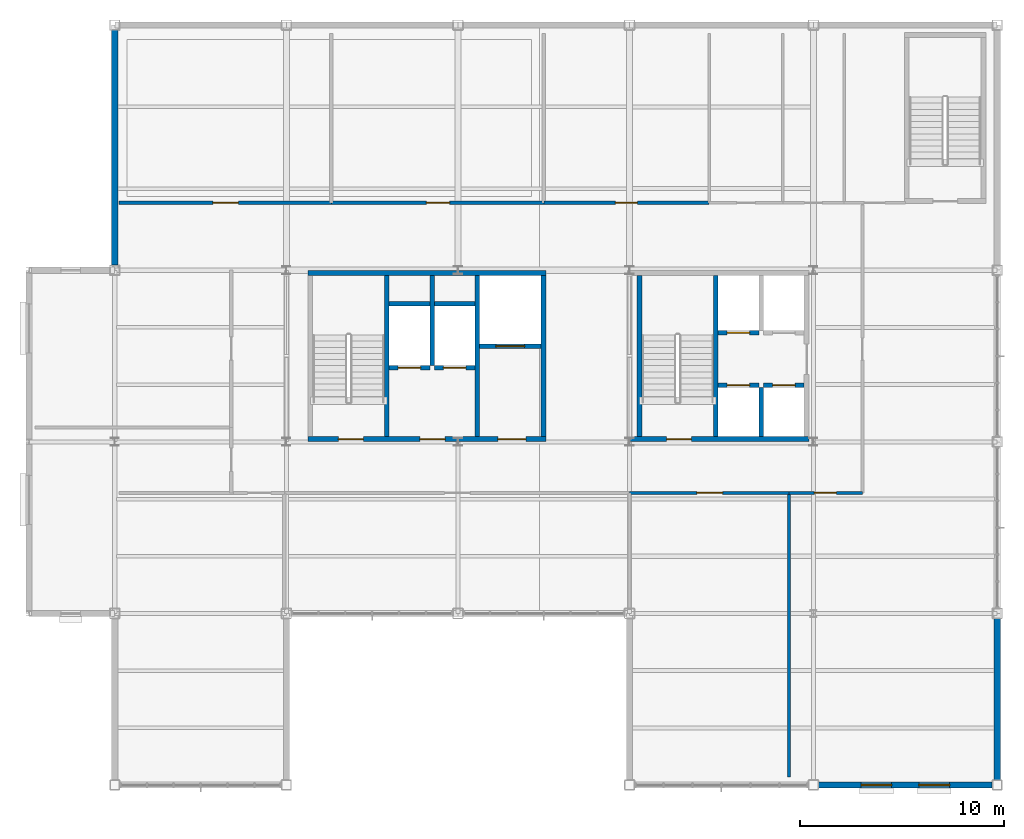
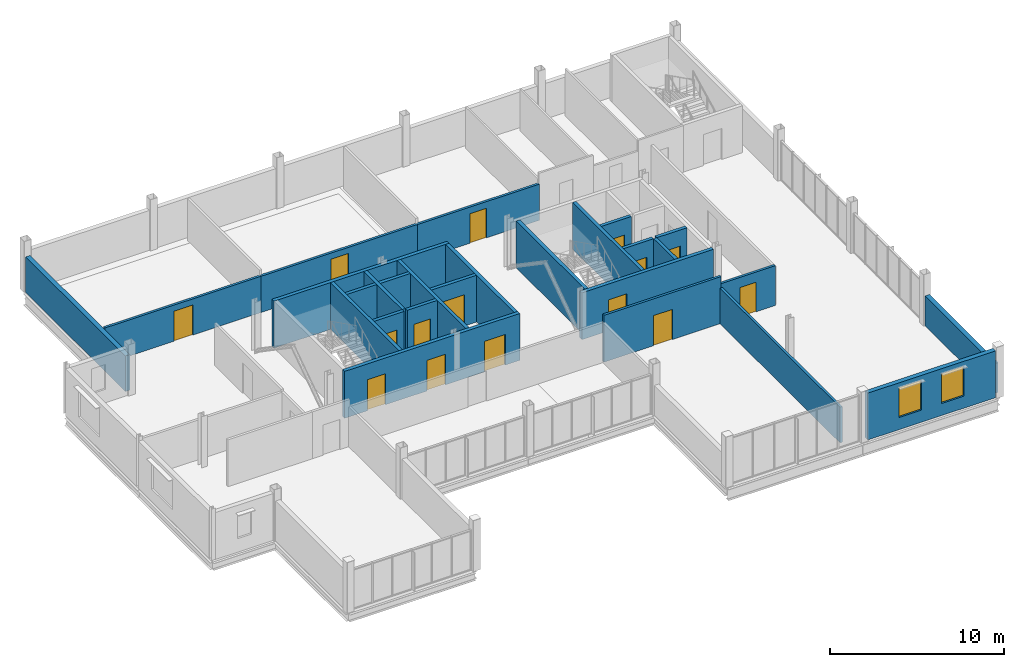
# One storey, part 15 of 19: 27 walls, 15 doors, 2 windows, 17 openings.
"""IFC4 building model written with IfcOpenShell, lengths in metres."""

from ifc_helpers import new_model, si_unit, direction, frame, frame_2d, origin, place, context, subcontext, project, spatial, rectangle, extrude, material, layer, layer_set, type_object, element, fill, save


model = new_model("IFC4")

# Units and contexts
model_context = context("Model", 3, precision=1e-05, world=origin(), true_north=direction((0.0, 1.0)))
body_context = subcontext(model_context, "Body", "Model", "MODEL_VIEW")
ifc_project = project(units=[si_unit("LENGTHUNIT", "METRE"), si_unit("AREAUNIT", "SQUARE_METRE"), si_unit("VOLUMEUNIT", "CUBIC_METRE"), si_unit("PLANEANGLEUNIT", "RADIAN"), si_unit("MASSUNIT", "GRAM", prefix="KILO")], contexts=[model_context])

# Site, building, storey
site_placement = place(None, origin())
site = spatial("IfcSite", under=ifc_project, at=site_placement, CompositionType="ELEMENT")
building_placement = place(site_placement, origin())
building = spatial("IfcBuilding", under=site, at=building_placement, Name="Yukiwa Park Conservatory and Herbarium", CompositionType="ELEMENT")
storey_placement = place(building_placement, frame((0.0, 0.0, 31.800048828125)))
storey = spatial("IfcBuildingStorey", under=building, at=storey_placement, Name="L08", CompositionType="ELEMENT", Elevation=31.800048828125)

# Walls
ifc_material_1 = material(Name="Concrete C40", Category="concrete")
ifc_layer_1 = layer(ifc_material_1, 0.219970703125)
ifc_layer_set_1 = layer_set([ifc_layer_1], Name="Concrete C40")
wall_type_1 = type_object("IfcWallType", Name="WL-CORE-RC220", PredefinedType="SHEAR", material=ifc_layer_set_1)
wall_1_placement = place(storey_placement, frame((138.110107421875, 95.050048828125, 0.0), z_axis=(0.0, 0.0, 1.0), x_axis=(0.0, 1.0, 0.0)))
element("IfcWall", 1, at=wall_1_placement, inside=storey, type_object=wall_type_1, Name="L08 core shear wall 523", PredefinedType="SHEAR", context=body_context, shape_type="SweptSolid", body=[
    extrude(rectangle(XDim=7.89990234375, YDim=0.219970703125, at=frame_2d((3.949951171875, 0.0))), origin(), (0.0, 0.0, 1.0), 3.294921875),
])
wall_2_placement = place(storey_placement, frame((140.330078125, 98.5400390625, 0.0), z_axis=(0.0, 0.0, 1.0), x_axis=(0.0, 1.0, 0.0)))
element("IfcWall", 2, at=wall_2_placement, inside=storey, type_object=wall_type_1, Name="L08 core shear wall 524", PredefinedType="SHEAR", context=body_context, shape_type="SweptSolid", body=[
    extrude(rectangle(XDim=4.409912109375, YDim=0.219970703125, at=frame_2d((2.205078125, 0.0))), origin(), (0.0, 0.0, 1.0), 3.294921875),
])
wall_3_placement = place(storey_placement, frame((142.550048828125, 95.050048828125, 0.0), z_axis=(0.0, 0.0, 1.0), x_axis=(0.0, 1.0, 0.0)))
element("IfcWall", 3, at=wall_3_placement, inside=storey, type_object=wall_type_1, Name="L08 core shear wall 525", PredefinedType="SHEAR", context=body_context, shape_type="SweptSolid", body=[
    extrude(rectangle(XDim=7.89990234375, YDim=0.219970703125, at=frame_2d((3.949951171875, 0.0))), origin(), (0.0, 0.0, 1.0), 3.294921875),
])

# Wall, opening, door
wall_4_placement = place(storey_placement, frame((138.219970703125, 98.429931640625, 0.0), z_axis=(0.0, 0.0, 1.0), x_axis=(1.0, 0.0, 0.0)))
wall_4 = element("IfcWall", 4, at=wall_4_placement, inside=storey, type_object=wall_type_1, Name="L08 core shear wall 527", PredefinedType="SHEAR", context=body_context, shape_type="SweptSolid", body=[
    extrude(rectangle(XDim=2.0, YDim=0.219970703125, at=frame_2d((1.0, 0.0))), origin(), (0.0, 0.0, 1.0), 3.294921875),
])
opening_1_placement = place(wall_4_placement, frame((0.449951171875, 0.0, 0.0)))
opening_1 = element("IfcOpeningElement", 5, at=opening_1_placement, cuts=wall_4, Name="Opening LD-01", PredefinedType="OPENING", context=body_context, shape_type="SweptSolid", body=[
    extrude(rectangle(XDim=1.10009765625, YDim=2.14990234375, at=frame_2d((0.550048828125, 1.074951171875))), frame((0.0, 0.1201171875, 0.0), z_axis=(0.0, -1.0, 0.0), x_axis=(1.0, 0.0, 0.0)), (0.0, 0.0, 1.0), 0.239990234375),
])
ifc_material_2 = material(Name="Steel Q235B", Category="steel")
door_type_1 = type_object("IfcDoorType", Name="DR-LIFT-LD1100", OperationType="SLIDING_TO_LEFT", PredefinedType="DOOR", material=ifc_material_2)
door_1_placement = place(opening_1_placement, origin())
door_1 = element("IfcDoor", 6, at=door_1_placement, inside=storey, type_object=door_type_1, Name="L08 Firefighting Lift FL1 sliding landing door", OperationType="SLIDING_TO_LEFT", OverallHeight=2.14990234375, OverallWidth=1.10009765625, PredefinedType="DOOR", context=body_context, shape_type="SweptSolid", body=[
    extrude(rectangle(XDim=1.10009765625, YDim=2.14990234375, at=frame_2d((0.550048828125, 1.074951171875))), frame((0.0, 0.02490234375, 0.0), z_axis=(0.0, -1.0, 0.0), x_axis=(1.0, 0.0, 0.0)), (0.0, 0.0, 1.0), 0.050048828125),
])
fill(opening_1, door_1)

wall_5_placement = place(storey_placement, frame((140.43994140625, 98.429931640625, 0.0), z_axis=(0.0, 0.0, 1.0), x_axis=(1.0, 0.0, 0.0)))
wall_5 = element("IfcWall", 7, at=wall_5_placement, inside=storey, type_object=wall_type_1, Name="L08 core shear wall 528", PredefinedType="SHEAR", context=body_context, shape_type="SweptSolid", body=[
    extrude(rectangle(XDim=2.0, YDim=0.219970703125, at=frame_2d((1.0, 0.0))), origin(), (0.0, 0.0, 1.0), 3.294921875),
])
opening_2_placement = place(wall_5_placement, frame((0.449951171875, 0.0, 0.0)))
opening_2 = element("IfcOpeningElement", 8, at=opening_2_placement, cuts=wall_5, Name="Opening LD-01", PredefinedType="OPENING", context=body_context, shape_type="SweptSolid", body=[
    extrude(rectangle(XDim=1.10009765625, YDim=2.14990234375, at=frame_2d((0.550048828125, 1.074951171875))), frame((0.0, 0.1201171875, 0.0), z_axis=(0.0, -1.0, 0.0), x_axis=(1.0, 0.0, 0.0)), (0.0, 0.0, 1.0), 0.239990234375),
])
door_2_placement = place(opening_2_placement, origin())
door_2 = element("IfcDoor", 9, at=door_2_placement, inside=storey, type_object=door_type_1, Name="L08 Firefighting Lift FL2 sliding landing door", OperationType="SLIDING_TO_LEFT", OverallHeight=2.14990234375, OverallWidth=1.10009765625, PredefinedType="DOOR", context=body_context, shape_type="SweptSolid", body=[
    extrude(rectangle(XDim=1.10009765625, YDim=2.14990234375, at=frame_2d((0.550048828125, 1.074951171875))), frame((0.0, 0.02490234375, 0.0), z_axis=(0.0, -1.0, 0.0), x_axis=(1.0, 0.0, 0.0)), (0.0, 0.0, 1.0), 0.050048828125),
])
fill(opening_2, door_2)

# Walls
for number, where, z_axis, x_axis, name in (
    (10, (138.219970703125, 101.550048828125, 0.0), (0.0, 0.0, 1.0), (1.0, 0.0, 0.0), "L08 core shear wall 529"),
    (11, (140.43994140625, 101.550048828125, 0.0), (0.0, 0.0, 1.0), (1.0, 0.0, 0.0), "L08 core shear wall 530"),
):
    element("IfcWall", number, at=place(storey_placement, frame(where, z_axis=z_axis, x_axis=x_axis)), inside=storey, type_object=wall_type_1, Name=name, PredefinedType="SHEAR", context=body_context, shape_type="SweptSolid", body=[
        extrude(rectangle(XDim=2.0, YDim=0.219970703125, at=frame_2d((1.0, 0.0))), origin(), (0.0, 0.0, 1.0), 3.294921875),
    ])

# Wall, opening, door
wall_6_placement = place(storey_placement, frame((142.659912109375, 99.489990234375, 0.0), z_axis=(0.0, 0.0, 1.0), x_axis=(1.0, 0.0, 0.0)))
wall_6 = element("IfcWall", 12, at=wall_6_placement, inside=storey, type_object=wall_type_1, Name="L08 core shear wall 531", PredefinedType="SHEAR", context=body_context, shape_type="SweptSolid", body=[
    extrude(rectangle(XDim=3.0, YDim=0.219970703125, at=frame_2d((1.5, 0.0))), origin(), (0.0, 0.0, 1.0), 3.294921875),
])
opening_3_placement = place(wall_6_placement, frame((0.800048828125, 0.0, 0.0)))
opening_3 = element("IfcOpeningElement", 13, at=opening_3_placement, cuts=wall_6, Name="Opening LD-02", PredefinedType="OPENING", context=body_context, shape_type="SweptSolid", body=[
    extrude(rectangle(XDim=1.39990234375, YDim=2.199951171875, at=frame_2d((0.699951171875, 1.10009765625))), frame((0.0, 0.1201171875, 0.0), z_axis=(0.0, -1.0, 0.0), x_axis=(1.0, 0.0, 0.0)), (0.0, 0.0, 1.0), 0.239990234375),
])
ifc_material_3 = material(Name="Steel Q235B", Category="steel")
door_type_2 = type_object("IfcDoorType", Name="DR-LIFT-LD1400", OperationType="SLIDING_TO_LEFT", PredefinedType="DOOR", material=ifc_material_3)
door_3_placement = place(opening_3_placement, origin())
door_3 = element("IfcDoor", 14, at=door_3_placement, inside=storey, type_object=door_type_2, Name="L08 Goods Lift GL1 sliding landing door", OperationType="SLIDING_TO_LEFT", OverallHeight=2.199951171875, OverallWidth=1.39990234375, PredefinedType="DOOR", context=body_context, shape_type="SweptSolid", body=[
    extrude(rectangle(XDim=1.39990234375, YDim=2.199951171875, at=frame_2d((0.699951171875, 1.10009765625))), frame((0.0, 0.02490234375, 0.0), z_axis=(0.0, -1.0, 0.0), x_axis=(1.0, 0.0, 0.0)), (0.0, 0.0, 1.0), 0.050048828125),
])
fill(opening_3, door_3)

# Wall
wall_7_placement = place(storey_placement, frame((154.219970703125, 95.050048828125, 0.0), z_axis=(0.0, 0.0, 1.0), x_axis=(0.0, 1.0, 0.0)))
element("IfcWall", 15, at=wall_7_placement, inside=storey, type_object=wall_type_1, Name="L08 core shear wall 535", PredefinedType="SHEAR", context=body_context, shape_type="SweptSolid", body=[
    extrude(rectangle(XDim=7.89990234375, YDim=0.219970703125, at=frame_2d((3.949951171875, 0.0))), origin(), (0.0, 0.0, 1.0), 3.294921875),
])

# Wall, opening, door
wall_8_placement = place(storey_placement, frame((154.330078125, 100.139892578125, 0.0), z_axis=(0.0, 0.0, 1.0), x_axis=(1.0, 0.0, 0.0)))
wall_8 = element("IfcWall", 16, at=wall_8_placement, inside=storey, type_object=wall_type_1, Name="L08 core shear wall 538", PredefinedType="SHEAR", context=body_context, shape_type="SweptSolid", body=[
    extrude(rectangle(XDim=2.0, YDim=0.219970703125, at=frame_2d((1.0, 0.0))), origin(), (0.0, 0.0, 1.0), 3.294921875),
])
opening_4_placement = place(wall_8_placement, frame((0.449951171875, 0.0, 0.0)))
opening_4 = element("IfcOpeningElement", 17, at=opening_4_placement, cuts=wall_8, Name="Opening LD-01", PredefinedType="OPENING", context=body_context, shape_type="SweptSolid", body=[
    extrude(rectangle(XDim=1.10009765625, YDim=2.14990234375, at=frame_2d((0.550048828125, 1.074951171875))), frame((0.0, 0.1201171875, 0.0), z_axis=(0.0, -1.0, 0.0), x_axis=(1.0, 0.0, 0.0)), (0.0, 0.0, 1.0), 0.239990234375),
])
door_4_placement = place(opening_4_placement, origin())
door_4 = element("IfcDoor", 18, at=door_4_placement, inside=storey, type_object=door_type_1, Name="L08 Passenger Lift LP1 sliding landing door", OperationType="SLIDING_TO_LEFT", OverallHeight=2.14990234375, OverallWidth=1.10009765625, PredefinedType="DOOR", context=body_context, shape_type="SweptSolid", body=[
    extrude(rectangle(XDim=1.10009765625, YDim=2.14990234375, at=frame_2d((0.550048828125, 1.074951171875))), frame((0.0, 0.02490234375, 0.0), z_axis=(0.0, -1.0, 0.0), x_axis=(1.0, 0.0, 0.0)), (0.0, 0.0, 1.0), 0.050048828125),
])
fill(opening_4, door_4)

# Wall
wall_9_placement = place(storey_placement, frame((156.43994140625, 95.050048828125, 0.0), z_axis=(0.0, 0.0, 1.0), x_axis=(0.0, 1.0, 0.0)))
element("IfcWall", 19, at=wall_9_placement, inside=storey, type_object=wall_type_1, Name="L08 core shear wall 540", PredefinedType="SHEAR", context=body_context, shape_type="SweptSolid", body=[
    extrude(rectangle(XDim=2.39990234375, YDim=0.219970703125, at=frame_2d((1.199951171875, 0.0))), origin(), (0.0, 0.0, 1.0), 3.294921875),
])

# Wall, opening, door
wall_10_placement = place(storey_placement, frame((154.330078125, 97.56005859375, 0.0), z_axis=(0.0, 0.0, 1.0), x_axis=(1.0, 0.0, 0.0)))
wall_10 = element("IfcWall", 20, at=wall_10_placement, inside=storey, type_object=wall_type_1, Name="L08 core shear wall 541", PredefinedType="SHEAR", context=body_context, shape_type="SweptSolid", body=[
    extrude(rectangle(XDim=2.0, YDim=0.219970703125, at=frame_2d((1.0, 0.0))), origin(), (0.0, 0.0, 1.0), 3.294921875),
])
opening_5_placement = place(wall_10_placement, frame((0.449951171875, 0.0, 0.0)))
opening_5 = element("IfcOpeningElement", 21, at=opening_5_placement, cuts=wall_10, Name="Opening LD-01", PredefinedType="OPENING", context=body_context, shape_type="SweptSolid", body=[
    extrude(rectangle(XDim=1.10009765625, YDim=2.14990234375, at=frame_2d((0.550048828125, 1.074951171875))), frame((0.0, 0.1201171875, 0.0), z_axis=(0.0, -1.0, 0.0), x_axis=(1.0, 0.0, 0.0)), (0.0, 0.0, 1.0), 0.239990234375),
])
door_5_placement = place(opening_5_placement, origin())
door_5 = element("IfcDoor", 22, at=door_5_placement, inside=storey, type_object=door_type_1, Name="L08 Passenger Lift LP3 sliding landing door", OperationType="SLIDING_TO_LEFT", OverallHeight=2.14990234375, OverallWidth=1.10009765625, PredefinedType="DOOR", context=body_context, shape_type="SweptSolid", body=[
    extrude(rectangle(XDim=1.10009765625, YDim=2.14990234375, at=frame_2d((0.550048828125, 1.074951171875))), frame((0.0, 0.02490234375, 0.0), z_axis=(0.0, -1.0, 0.0), x_axis=(1.0, 0.0, 0.0)), (0.0, 0.0, 1.0), 0.050048828125),
])
fill(opening_5, door_5)

wall_11_placement = place(storey_placement, frame((156.550048828125, 97.56005859375, 0.0), z_axis=(0.0, 0.0, 1.0), x_axis=(1.0, 0.0, 0.0)))
wall_11 = element("IfcWall", 23, at=wall_11_placement, inside=storey, type_object=wall_type_1, Name="L08 core shear wall 542", PredefinedType="SHEAR", context=body_context, shape_type="SweptSolid", body=[
    extrude(rectangle(XDim=2.0, YDim=0.219970703125, at=frame_2d((1.0, 0.0))), origin(), (0.0, 0.0, 1.0), 3.294921875),
])
opening_6_placement = place(wall_11_placement, frame((0.449951171875, 0.0, 0.0)))
opening_6 = element("IfcOpeningElement", 24, at=opening_6_placement, cuts=wall_11, Name="Opening LD-01", PredefinedType="OPENING", context=body_context, shape_type="SweptSolid", body=[
    extrude(rectangle(XDim=1.10009765625, YDim=2.14990234375, at=frame_2d((0.550048828125, 1.074951171875))), frame((0.0, 0.1201171875, 0.0), z_axis=(0.0, -1.0, 0.0), x_axis=(1.0, 0.0, 0.0)), (0.0, 0.0, 1.0), 0.239990234375),
])
door_6_placement = place(opening_6_placement, origin())
door_6 = element("IfcDoor", 25, at=door_6_placement, inside=storey, type_object=door_type_1, Name="L08 Passenger Lift LP4 sliding landing door", OperationType="SLIDING_TO_LEFT", OverallHeight=2.14990234375, OverallWidth=1.10009765625, PredefinedType="DOOR", context=body_context, shape_type="SweptSolid", body=[
    extrude(rectangle(XDim=1.10009765625, YDim=2.14990234375, at=frame_2d((0.550048828125, 1.074951171875))), frame((0.0, 0.02490234375, 0.0), z_axis=(0.0, -1.0, 0.0), x_axis=(1.0, 0.0, 0.0)), (0.0, 0.0, 1.0), 0.050048828125),
])
fill(opening_6, door_6)

# Wall, openings, doors
ifc_material_4 = material(Name="Concrete C50", Category="concrete")
ifc_layer_2 = layer(ifc_material_4, 0.239990234375)
ifc_layer_set_2 = layer_set([ifc_layer_2], Name="Concrete C50")
wall_type_2 = type_object("IfcWallType", Name="WL-CORE-RC240", PredefinedType="SHEAR", material=ifc_layer_set_2)
wall_12_placement = place(storey_placement, frame((134.25, 94.929931640625, 0.0), z_axis=(0.0, 0.0, 1.0), x_axis=(1.0, 0.0, 0.0)))
wall_12 = element("IfcWall", 26, at=wall_12_placement, inside=storey, type_object=wall_type_2, Name="L08 core shear wall 520", PredefinedType="SHEAR", context=body_context, shape_type="SweptSolid", body=[
    extrude(rectangle(XDim=11.64990234375, YDim=0.239990234375, at=frame_2d((5.824951171875, 0.0))), origin(), (0.0, 0.0, 1.0), 3.294921875),
])
opening_7_placement = place(wall_12_placement, frame((1.5, 0.0, 0.0)))
opening_7 = element("IfcOpeningElement", 27, at=opening_7_placement, cuts=wall_12, Name="Opening SD-01", PredefinedType="OPENING", context=body_context, shape_type="SweptSolid", body=[
    extrude(rectangle(XDim=1.219970703125, YDim=2.179931640625, at=frame_2d((0.60986328125, 1.08984375))), frame((0.0, 0.1298828125, 0.0), z_axis=(0.0, -1.0, 0.0), x_axis=(1.0, 0.0, 0.0)), (0.0, 0.0, 1.0), 0.260009765625),
])
opening_8_placement = place(wall_12_placement, frame((5.47998046875, 0.0, 0.0)))
opening_8 = element("IfcOpeningElement", 28, at=opening_8_placement, cuts=wall_12, Name="Opening FD-02", PredefinedType="OPENING", context=body_context, shape_type="SweptSolid", body=[
    extrude(rectangle(XDim=1.239990234375, YDim=2.14990234375, at=frame_2d((0.6201171875, 1.074951171875))), frame((0.0, 0.1298828125, 0.0), z_axis=(0.0, -1.0, 0.0), x_axis=(1.0, 0.0, 0.0)), (0.0, 0.0, 1.0), 0.260009765625),
])
opening_9_placement = place(wall_12_placement, frame((9.300048828125, 0.0, 0.0)))
opening_9 = element("IfcOpeningElement", 29, at=opening_9_placement, cuts=wall_12, Name="Opening FD-06", PredefinedType="OPENING", context=body_context, shape_type="SweptSolid", body=[
    extrude(rectangle(XDim=1.3798828125, YDim=2.14990234375, at=frame_2d((0.68994140625, 1.074951171875))), frame((0.0, 0.1298828125, 0.0), z_axis=(0.0, -1.0, 0.0), x_axis=(1.0, 0.0, 0.0)), (0.0, 0.0, 1.0), 0.260009765625),
])
ifc_material_5 = material(Name="Steel Q235B", Category="steel")
door_type_3 = type_object("IfcDoorType", Name="DR-FIRE-FD60-1400", OperationType="DOUBLE_DOOR_SINGLE_SWING", PredefinedType="DOOR", material=ifc_material_5)
door_7_placement = place(opening_9_placement, frame((1.3798828125, 0.0, 0.0), z_axis=(0.0, 0.0, 1.0), x_axis=(-1.0, 0.0, 0.0)))
door_7 = element("IfcDoor", 30, at=door_7_placement, inside=storey, type_object=door_type_3, Name="L08 Goods Lift Lobby double fire door", OperationType="DOUBLE_DOOR_SINGLE_SWING", OverallHeight=2.14990234375, OverallWidth=1.3798828125, PredefinedType="DOOR", context=body_context, shape_type="SweptSolid", body=[
    extrude(rectangle(XDim=1.3798828125, YDim=2.14990234375, at=frame_2d((0.68994140625, 1.074951171875))), frame((0.0, 0.02490234375, 0.0), z_axis=(0.0, -1.0, 0.0), x_axis=(1.0, 0.0, 0.0)), (0.0, 0.0, 1.0), 0.050048828125),
])
fill(opening_9, door_7)
ifc_material_6 = material(Name="Steel Q235B", Category="steel")
door_type_4 = type_object("IfcDoorType", Name="DR-FIRE-FD90-1200", OperationType="SINGLE_SWING_RIGHT", PredefinedType="DOOR", material=ifc_material_6)
door_8_placement = place(opening_8_placement, frame((1.239990234375, 0.0, 0.0), z_axis=(0.0, 0.0, 1.0), x_axis=(-1.0, 0.0, 0.0)))
door_8 = element("IfcDoor", 31, at=door_8_placement, inside=storey, type_object=door_type_4, Name="L08 Firefighting Lift Lobby fire door", OperationType="SINGLE_SWING_RIGHT", OverallHeight=2.14990234375, OverallWidth=1.239990234375, PredefinedType="DOOR", context=body_context, shape_type="SweptSolid", body=[
    extrude(rectangle(XDim=1.239990234375, YDim=2.14990234375, at=frame_2d((0.6201171875, 1.074951171875))), frame((0.0, 0.02490234375, 0.0), z_axis=(0.0, -1.0, 0.0), x_axis=(1.0, 0.0, 0.0)), (0.0, 0.0, 1.0), 0.050048828125),
])
fill(opening_8, door_8)
ifc_material_7 = material(Name="Steel Q235B", Category="steel")
door_type_5 = type_object("IfcDoorType", Name="DR-STAIR-FD90-1200", OperationType="SINGLE_SWING_LEFT", PredefinedType="DOOR", material=ifc_material_7)
door_9_placement = place(opening_7_placement, origin())
door_9 = element("IfcDoor", 32, at=door_9_placement, inside=storey, type_object=door_type_5, Name="L08 Stairwell ST-T1 fire door", OperationType="SINGLE_SWING_LEFT", OverallHeight=2.179931640625, OverallWidth=1.219970703125, PredefinedType="DOOR", context=body_context, shape_type="SweptSolid", body=[
    extrude(rectangle(XDim=1.219970703125, YDim=2.179931640625, at=frame_2d((0.60986328125, 1.08984375))), frame((0.0, 0.02490234375, 0.0), z_axis=(0.0, -1.0, 0.0), x_axis=(1.0, 0.0, 0.0)), (0.0, 0.0, 1.0), 0.050048828125),
])
fill(opening_7, door_9)

# Walls
wall_13_placement = place(storey_placement, frame((134.25, 103.070068359375, 0.0), z_axis=(0.0, 0.0, 1.0), x_axis=(1.0, 0.0, 0.0)))
element("IfcWall", 33, at=wall_13_placement, inside=storey, type_object=wall_type_2, Name="L08 core shear wall 521", PredefinedType="SHEAR", context=body_context, shape_type="SweptSolid", body=[
    extrude(rectangle(XDim=11.64990234375, YDim=0.239990234375, at=frame_2d((5.824951171875, 0.0))), origin(), (0.0, 0.0, 1.0), 3.294921875),
])
wall_14_placement = place(storey_placement, frame((145.780029296875, 95.050048828125, 0.0), z_axis=(0.0, 0.0, 1.0), x_axis=(0.0, 1.0, 0.0)))
element("IfcWall", 34, at=wall_14_placement, inside=storey, type_object=wall_type_2, Name="L08 core shear wall 526", PredefinedType="SHEAR", context=body_context, shape_type="SweptSolid", body=[
    extrude(rectangle(XDim=7.89990234375, YDim=0.239990234375, at=frame_2d((3.949951171875, 0.0))), origin(), (0.0, 0.0, 1.0), 3.294921875),
])

# Wall, opening, door
wall_15_placement = place(storey_placement, frame((150.02001953125, 94.929931640625, 0.0), z_axis=(0.0, 0.0, 1.0), x_axis=(1.0, 0.0, 0.0)))
wall_15 = element("IfcWall", 35, at=wall_15_placement, inside=storey, type_object=wall_type_2, Name="L08 core shear wall 532", PredefinedType="SHEAR", context=body_context, shape_type="SweptSolid", body=[
    extrude(rectangle(XDim=8.77001953125, YDim=0.239990234375, at=frame_2d((4.385009765625, 0.0))), origin(), (0.0, 0.0, 1.0), 3.294921875),
])
opening_10_placement = place(wall_15_placement, frame((1.7900390625, 0.0, 0.0)))
opening_10 = element("IfcOpeningElement", 36, at=opening_10_placement, cuts=wall_15, Name="Opening SD-01", PredefinedType="OPENING", context=body_context, shape_type="SweptSolid", body=[
    extrude(rectangle(XDim=1.219970703125, YDim=2.179931640625, at=frame_2d((0.60986328125, 1.08984375))), frame((0.0, 0.1298828125, 0.0), z_axis=(0.0, -1.0, 0.0), x_axis=(1.0, 0.0, 0.0)), (0.0, 0.0, 1.0), 0.260009765625),
])
door_10_placement = place(opening_10_placement, origin())
door_10 = element("IfcDoor", 37, at=door_10_placement, inside=storey, type_object=door_type_5, Name="L08 Stairwell ST-T2 fire door", OperationType="SINGLE_SWING_LEFT", OverallHeight=2.179931640625, OverallWidth=1.219970703125, PredefinedType="DOOR", context=body_context, shape_type="SweptSolid", body=[
    extrude(rectangle(XDim=1.219970703125, YDim=2.179931640625, at=frame_2d((0.60986328125, 1.08984375))), frame((0.0, 0.02490234375, 0.0), z_axis=(0.0, -1.0, 0.0), x_axis=(1.0, 0.0, 0.0)), (0.0, 0.0, 1.0), 0.050048828125),
])
fill(opening_10, door_10)

# Wall
wall_16_placement = place(storey_placement, frame((150.47998046875, 95.050048828125, 0.0), z_axis=(0.0, 0.0, 1.0), x_axis=(0.0, 1.0, 0.0)))
element("IfcWall", 38, at=wall_16_placement, inside=storey, type_object=wall_type_2, Name="L08 core shear wall 534", PredefinedType="SHEAR", context=body_context, shape_type="SweptSolid", body=[
    extrude(rectangle(XDim=7.89990234375, YDim=0.239990234375, at=frame_2d((3.949951171875, 0.0))), origin(), (0.0, 0.0, 1.0), 3.294921875),
])

# Wall, openings, windows
ifc_material_8 = material(Name="Pale Granite Cladding", Category="masonry")
ifc_layer_3 = layer(ifc_material_8, 0.300048828125)
ifc_layer_set_3 = layer_set([ifc_layer_3], Name="Pale Granite Cladding")
wall_type_3 = type_object("IfcWallType", Name="WL-EXT-GRAN-300", PredefinedType="SOLIDWALL", material=ifc_layer_set_3)
wall_17_placement = place(storey_placement, frame((159.25, 78.0, 0.0), z_axis=(0.0, 0.0, 1.0), x_axis=(1.0, 0.0, 0.0)))
wall_17 = element("IfcWall", 39, at=wall_17_placement, inside=storey, type_object=wall_type_3, Name="L08 exterior envelope wall 323", PredefinedType="SOLIDWALL", context=body_context, shape_type="SweptSolid", body=[
    extrude(rectangle(XDim=8.5, YDim=0.300048828125, at=frame_2d((4.25, 0.0))), origin(), (0.0, 0.0, 1.0), 3.294921875),
])
opening_11_placement = place(wall_17_placement, frame((2.0830078125, 0.0, 0.85009765625)))
opening_11 = element("IfcOpeningElement", 40, at=opening_11_placement, cuts=wall_17, Name="Opening W-05", PredefinedType="OPENING", context=body_context, shape_type="SweptSolid", body=[
    extrude(rectangle(XDim=1.5, YDim=2.10009765625, at=frame_2d((0.75, 1.050048828125))), frame((0.0, 0.16015625, 0.0), z_axis=(0.0, -1.0, 0.0), x_axis=(1.0, 0.0, 0.0)), (0.0, 0.0, 1.0), 0.320068359375),
])
opening_12_placement = place(wall_17_placement, frame((4.9169921875, 0.0, 0.85009765625)))
opening_12 = element("IfcOpeningElement", 41, at=opening_12_placement, cuts=wall_17, Name="Opening W-05", PredefinedType="OPENING", context=body_context, shape_type="SweptSolid", body=[
    extrude(rectangle(XDim=1.5, YDim=2.10009765625, at=frame_2d((0.75, 1.050048828125))), frame((0.0, 0.16015625, 0.0), z_axis=(0.0, -1.0, 0.0), x_axis=(1.0, 0.0, 0.0)), (0.0, 0.0, 1.0), 0.320068359375),
])
ifc_material_9 = material(Name="Triple Low-E Insulated Glass", Category="glass")
window_type = type_object("IfcWindowType", Name="WN-TW-1500X2100", PartitioningType="SINGLE_PANEL", PredefinedType="WINDOW", material=ifc_material_9)
window_1_placement = place(opening_11_placement, origin())
window_1 = element("IfcWindow", 42, at=window_1_placement, inside=storey, type_object=window_type, Name="L08 deep-reveal triple-glazed window 254", OverallHeight=2.10009765625, OverallWidth=1.5, PartitioningType="SINGLE_PANEL", PredefinedType="WINDOW", context=body_context, shape_type="SweptSolid", body=[
    extrude(rectangle(XDim=1.5, YDim=2.10009765625, at=frame_2d((0.75, 1.050048828125))), frame((0.0, 0.030029296875, 0.0), z_axis=(0.0, -1.0, 0.0), x_axis=(1.0, 0.0, 0.0)), (0.0, 0.0, 1.0), 0.06005859375),
])
fill(opening_11, window_1)
window_2_placement = place(opening_12_placement, origin())
window_2 = element("IfcWindow", 43, at=window_2_placement, inside=storey, type_object=window_type, Name="L08 deep-reveal triple-glazed window 255", OverallHeight=2.10009765625, OverallWidth=1.5, PartitioningType="SINGLE_PANEL", PredefinedType="WINDOW", context=body_context, shape_type="SweptSolid", body=[
    extrude(rectangle(XDim=1.5, YDim=2.10009765625, at=frame_2d((0.75, 1.050048828125))), frame((0.0, 0.030029296875, 0.0), z_axis=(0.0, -1.0, 0.0), x_axis=(1.0, 0.0, 0.0)), (0.0, 0.0, 1.0), 0.06005859375),
])
fill(opening_12, window_2)

# Walls
wall_18_placement = place(storey_placement, frame((168.0, 78.25, 0.0), z_axis=(0.0, 0.0, 1.0), x_axis=(0.0, 1.0, 0.0)))
element("IfcWall", 44, at=wall_18_placement, inside=storey, type_object=wall_type_3, Name="L08 exterior envelope wall 324", PredefinedType="SOLIDWALL", context=body_context, shape_type="SweptSolid", body=[
    extrude(rectangle(XDim=7.89990234375, YDim=0.300048828125, at=frame_2d((3.949951171875, 0.0))), origin(), (0.0, 0.0, 1.0), 2.094970703125),
])
wall_19_placement = place(storey_placement, frame((124.800048828125, 114.949951171875, 0.0), z_axis=(0.0, 0.0, 1.0), x_axis=(0.0, -1.0, 0.0)))
element("IfcWall", 45, at=wall_19_placement, inside=storey, type_object=wall_type_3, Name="L08 exterior envelope wall 331", PredefinedType="SOLIDWALL", context=body_context, shape_type="SweptSolid", body=[
    extrude(rectangle(XDim=11.5, YDim=0.300048828125, at=frame_2d((5.75, 0.0))), origin(), (0.0, 0.0, 1.0), 2.5029296875),
])

# Wall, opening, door
ifc_material_10 = material(Name="Gypsum Board Partition", Category="gypsum")
ifc_layer_4 = layer(ifc_material_10, 0.159912109375)
ifc_layer_set_4 = layer_set([ifc_layer_4], Name="Gypsum Board Partition")
wall_type_4 = type_object("IfcWallType", Name="WL-PART-GYP-160", PredefinedType="PARTITIONING", material=ifc_layer_set_4)
wall_20_placement = place(storey_placement, frame((150.0, 92.300048828125, 0.0), z_axis=(0.0, 0.0, 1.0), x_axis=(1.0, 0.0, 0.0)))
wall_20 = element("IfcWall", 46, at=wall_20_placement, inside=storey, type_object=wall_type_4, Name="L08 interior partition wall 559", PredefinedType="PARTITIONING", context=body_context, shape_type="SweptSolid", body=[
    extrude(rectangle(XDim=7.800048828125, YDim=0.159912109375, at=frame_2d((3.89990234375, 0.0))), origin(), (0.0, 0.0, 1.0), 3.294921875),
])
opening_13_placement = place(wall_20_placement, frame((3.300048828125, 0.0, 0.0)))
opening_13 = element("IfcOpeningElement", 47, at=opening_13_placement, cuts=wall_20, Name="Opening LD-12", PredefinedType="OPENING", context=body_context, shape_type="SweptSolid", body=[
    extrude(rectangle(XDim=1.25, YDim=2.1201171875, at=frame_2d((0.625, 1.06005859375))), frame((0.0, 0.08984375, 0.0), z_axis=(0.0, -1.0, 0.0), x_axis=(1.0, 0.0, 0.0)), (0.0, 0.0, 1.0), 0.179931640625),
])
ifc_material_11 = material(Name="Steel Q235B", Category="steel")
door_type_6 = type_object("IfcDoorType", Name="DR-LAB-1200", OperationType="SINGLE_SWING_LEFT", PredefinedType="DOOR", material=ifc_material_11)
door_11_placement = place(opening_13_placement, origin())
door_11 = element("IfcDoor", 48, at=door_11_placement, inside=storey, type_object=door_type_6, Name="L08 Phytochemistry Lab door", OperationType="SINGLE_SWING_LEFT", OverallHeight=2.1201171875, OverallWidth=1.25, PredefinedType="DOOR", context=body_context, shape_type="SweptSolid", body=[
    extrude(rectangle(XDim=1.25, YDim=2.1201171875, at=frame_2d((0.625, 1.06005859375))), frame((0.0, 0.02490234375, 0.0), z_axis=(0.0, -1.0, 0.0), x_axis=(1.0, 0.0, 0.0)), (0.0, 0.0, 1.0), 0.050048828125),
])
fill(opening_13, door_11)

wall_21_placement = place(storey_placement, frame((157.800048828125, 92.300048828125, 0.0), z_axis=(0.0, 0.0, 1.0), x_axis=(1.0, 0.0, 0.0)))
wall_21 = element("IfcWall", 49, at=wall_21_placement, inside=storey, type_object=wall_type_4, Name="L08 interior partition wall 560", PredefinedType="PARTITIONING", context=body_context, shape_type="SweptSolid", body=[
    extrude(rectangle(XDim=3.599853515625, YDim=0.159912109375, at=frame_2d((1.7998046875, 0.0))), origin(), (0.0, 0.0, 1.0), 2.794921875),
])
opening_14_placement = place(wall_21_placement, frame((1.25, 0.0, 0.0)))
opening_14 = element("IfcOpeningElement", 50, at=opening_14_placement, cuts=wall_21, Name="Opening ID-11", PredefinedType="OPENING", context=body_context, shape_type="SweptSolid", body=[
    extrude(rectangle(XDim=1.080078125, YDim=2.080078125, at=frame_2d((0.5400390625, 1.0400390625))), frame((0.0, 0.08984375, 0.0), z_axis=(0.0, -1.0, 0.0), x_axis=(1.0, 0.0, 0.0)), (0.0, 0.0, 1.0), 0.179931640625),
])
ifc_material_12 = material(Name="Charred Larch Cladding", Category="wood")
door_type_7 = type_object("IfcDoorType", Name="DR-INT-1100", OperationType="SINGLE_SWING_RIGHT", PredefinedType="DOOR", material=ifc_material_12)
door_12_placement = place(opening_14_placement, origin())
door_12 = element("IfcDoor", 51, at=door_12_placement, inside=storey, type_object=door_type_7, Name="L08 Colloquium Room door", OperationType="SINGLE_SWING_RIGHT", OverallHeight=2.080078125, OverallWidth=1.080078125, PredefinedType="DOOR", context=body_context, shape_type="SweptSolid", body=[
    extrude(rectangle(XDim=1.080078125, YDim=2.080078125, at=frame_2d((0.5400390625, 1.0400390625))), frame((0.0, 0.02490234375, 0.0), z_axis=(0.0, -1.0, 0.0), x_axis=(1.0, 0.0, 0.0)), (0.0, 0.0, 1.0), 0.050048828125),
])
fill(opening_14, door_12)

# Wall
wall_22_placement = place(storey_placement, frame((157.800048828125, 78.39990234375, 0.0), z_axis=(0.0, 0.0, 1.0), x_axis=(0.0, 1.0, 0.0)))
element("IfcWall", 52, at=wall_22_placement, inside=storey, type_object=wall_type_4, Name="L08 interior partition wall 564", PredefinedType="PARTITIONING", context=body_context, shape_type="SweptSolid", body=[
    extrude(rectangle(XDim=13.900146484375, YDim=0.159912109375, at=frame_2d((6.9501953125, 0.0))), origin(), (0.0, 0.0, 1.0), 2.5029296875),
])

# Wall, opening, door
wall_23_placement = place(storey_placement, frame((125.0, 106.5, 0.0), z_axis=(0.0, 0.0, 1.0), x_axis=(1.0, 0.0, 0.0)))
wall_23 = element("IfcWall", 53, at=wall_23_placement, inside=storey, type_object=wall_type_4, Name="L08 interior partition wall 565", PredefinedType="PARTITIONING", context=body_context, shape_type="SweptSolid", body=[
    extrude(rectangle(XDim=10.39990234375, YDim=0.159912109375, at=frame_2d((5.199951171875, 0.0))), origin(), (0.0, 0.0, 1.0), 2.544921875),
])
opening_15_placement = place(wall_23_placement, frame((4.60009765625, 0.0, 0.0)))
opening_15 = element("IfcOpeningElement", 54, at=opening_15_placement, cuts=wall_23, Name="Opening LD-12", PredefinedType="OPENING", context=body_context, shape_type="SweptSolid", body=[
    extrude(rectangle(XDim=1.25, YDim=2.1201171875, at=frame_2d((0.625, 1.06005859375))), frame((0.0, 0.08984375, 0.0), z_axis=(0.0, -1.0, 0.0), x_axis=(1.0, 0.0, 0.0)), (0.0, 0.0, 1.0), 0.179931640625),
])
door_13_placement = place(opening_15_placement, origin())
door_13 = element("IfcDoor", 55, at=door_13_placement, inside=storey, type_object=door_type_6, Name="L08 Soil Microbiome Lab door", OperationType="SINGLE_SWING_LEFT", OverallHeight=2.1201171875, OverallWidth=1.25, PredefinedType="DOOR", context=body_context, shape_type="SweptSolid", body=[
    extrude(rectangle(XDim=1.25, YDim=2.1201171875, at=frame_2d((0.625, 1.06005859375))), frame((0.0, 0.02490234375, 0.0), z_axis=(0.0, -1.0, 0.0), x_axis=(1.0, 0.0, 0.0)), (0.0, 0.0, 1.0), 0.050048828125),
])
fill(opening_15, door_13)

wall_24_placement = place(storey_placement, frame((135.39990234375, 106.5, 0.0), z_axis=(0.0, 0.0, 1.0), x_axis=(1.0, 0.0, 0.0)))
wall_24 = element("IfcWall", 56, at=wall_24_placement, inside=storey, type_object=wall_type_4, Name="L08 interior partition wall 566", PredefinedType="PARTITIONING", context=body_context, shape_type="SweptSolid", body=[
    extrude(rectangle(XDim=10.400146484375, YDim=0.159912109375, at=frame_2d((5.2001953125, 0.0))), origin(), (0.0, 0.0, 1.0), 2.544921875),
])
opening_16_placement = place(wall_24_placement, frame((4.64990234375, 0.0, 0.0)))
opening_16 = element("IfcOpeningElement", 57, at=opening_16_placement, cuts=wall_24, Name="Opening LD-11", PredefinedType="OPENING", context=body_context, shape_type="SweptSolid", body=[
    extrude(rectangle(XDim=1.139892578125, YDim=2.1201171875, at=frame_2d((0.56982421875, 1.06005859375))), frame((0.0, 0.08984375, 0.0), z_axis=(0.0, -1.0, 0.0), x_axis=(1.0, 0.0, 0.0)), (0.0, 0.0, 1.0), 0.179931640625),
])
ifc_material_13 = material(Name="Steel Q235B", Category="steel")
door_type_8 = type_object("IfcDoorType", Name="DR-LAB-1100", OperationType="SINGLE_SWING_RIGHT", PredefinedType="DOOR", material=ifc_material_13)
door_14_placement = place(opening_16_placement, origin())
door_14 = element("IfcDoor", 58, at=door_14_placement, inside=storey, type_object=door_type_8, Name="L08 Mycology Archive door", OperationType="SINGLE_SWING_RIGHT", OverallHeight=2.1201171875, OverallWidth=1.139892578125, PredefinedType="DOOR", context=body_context, shape_type="SweptSolid", body=[
    extrude(rectangle(XDim=1.139892578125, YDim=2.1201171875, at=frame_2d((0.56982421875, 1.06005859375))), frame((0.0, 0.02490234375, 0.0), z_axis=(0.0, -1.0, 0.0), x_axis=(1.0, 0.0, 0.0)), (0.0, 0.0, 1.0), 0.050048828125),
])
fill(opening_16, door_14)

wall_25_placement = place(storey_placement, frame((145.800048828125, 106.5, 0.0), z_axis=(0.0, 0.0, 1.0), x_axis=(1.0, 0.0, 0.0)))
wall_25 = element("IfcWall", 59, at=wall_25_placement, inside=storey, type_object=wall_type_4, Name="L08 interior partition wall 567", PredefinedType="PARTITIONING", context=body_context, shape_type="SweptSolid", body=[
    extrude(rectangle(XDim=8.099853515625, YDim=0.159912109375, at=frame_2d((4.0498046875, 0.0))), origin(), (0.0, 0.0, 1.0), 2.544921875),
])
opening_17_placement = place(wall_25_placement, frame((3.5, 0.0, 0.0)))
opening_17 = element("IfcOpeningElement", 60, at=opening_17_placement, cuts=wall_25, Name="Opening ID-11", PredefinedType="OPENING", context=body_context, shape_type="SweptSolid", body=[
    extrude(rectangle(XDim=1.080078125, YDim=2.080078125, at=frame_2d((0.5400390625, 1.0400390625))), frame((0.0, 0.08984375, 0.0), z_axis=(0.0, -1.0, 0.0), x_axis=(1.0, 0.0, 0.0)), (0.0, 0.0, 1.0), 0.179931640625),
])
door_15_placement = place(opening_17_placement, origin())
door_15 = element("IfcDoor", 61, at=door_15_placement, inside=storey, type_object=door_type_7, Name="L08 Visiting Researchers door", OperationType="SINGLE_SWING_RIGHT", OverallHeight=2.080078125, OverallWidth=1.080078125, PredefinedType="DOOR", context=body_context, shape_type="SweptSolid", body=[
    extrude(rectangle(XDim=1.080078125, YDim=2.080078125, at=frame_2d((0.5400390625, 1.0400390625))), frame((0.0, 0.02490234375, 0.0), z_axis=(0.0, -1.0, 0.0), x_axis=(1.0, 0.0, 0.0)), (0.0, 0.0, 1.0), 0.050048828125),
])
fill(opening_17, door_15)

save(model, "model.ifc")
